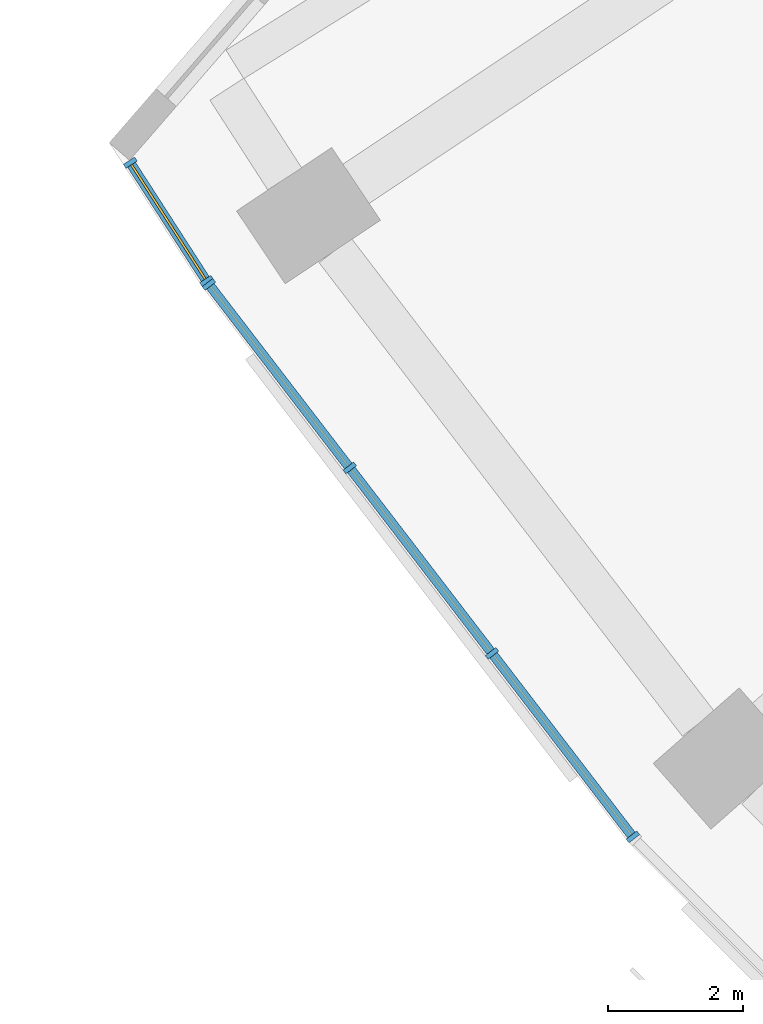
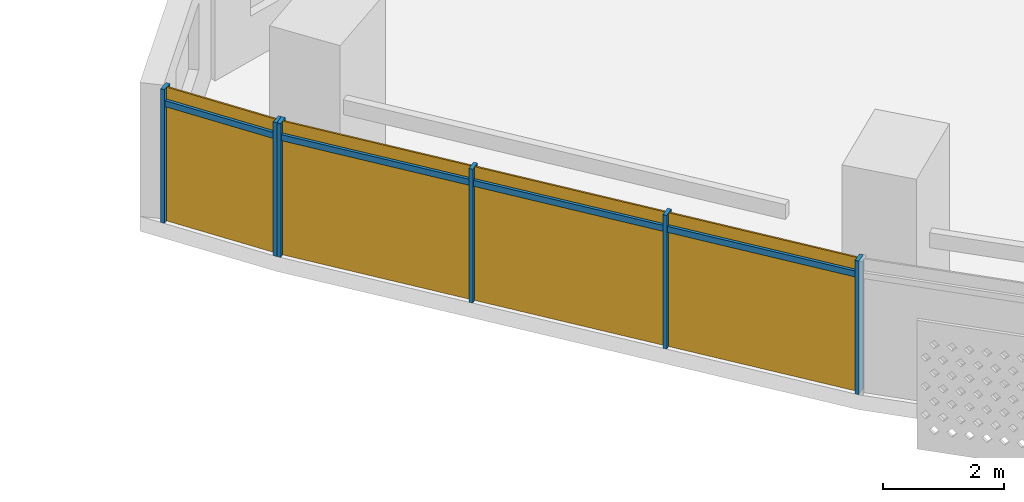
# One storey, part 21 of 31: 10 members, 2 curtain walls.
"""IFC4 building model written with IfcOpenShell, lengths in metres."""

from ifc_helpers import new_model, si_unit, direction, frame, origin, origin_2d, place, context, subcontext, project, spatial, rectangle, extrude, material, material_profile, profile_set, type_object, element, aggregate, save


model = new_model("IFC4")

# Units and contexts
model_context = context("Model", 3, precision=1e-05, world=origin(), true_north=direction((0.0, 1.0)))
body_context = subcontext(model_context, "Body", "Model", "MODEL_VIEW")
ifc_project = project(units=[si_unit("LENGTHUNIT", "METRE"), si_unit("AREAUNIT", "SQUARE_METRE"), si_unit("VOLUMEUNIT", "CUBIC_METRE"), si_unit("PLANEANGLEUNIT", "RADIAN"), si_unit("MASSUNIT", "GRAM", prefix="KILO")], contexts=[model_context])

# Member
ifc_material = material(Name="Aluminium 6063-T6 anodised", Category="aluminium")
ifc_material_profile_1 = material_profile(ifc_material, rectangle(XDim=0.199951171875, YDim=0.070068359375, at=origin_2d()))
ifc_profile_set_1 = profile_set([ifc_material_profile_1], Name="Aluminium 6063-T6 anodised")
member_type_1 = type_object("IfcMemberType", Name="Mullion 70 x 200 aluminium", PredefinedType="MULLION", material=ifc_profile_set_1)
site_placement = place(None, origin())
building_placement = place(site_placement, origin())
storey_placement = place(building_placement, frame((0.0, 0.0, 59.5)))
member_1_placement = place(storey_placement, frame((-67.295654296875, -42.41015625, 0.0), z_axis=(0.0, 0.0, 1.0), x_axis=(0.840244709552, 0.5422073663, 0.0)))
member_1 = element("IfcMember", 1, at=member_1_placement, type_object=member_type_1, Name="e-cw1-L11-out00/M00", PredefinedType="MULLION", context=body_context, shape_type="SweptSolid", body=[
    extrude(rectangle(XDim=0.199951171875, YDim=0.070068359375, at=origin_2d()), origin(), (0.0, 0.0, 1.0), 2.699951171875),
])

member_2_placement = place(storey_placement, frame((-66.16162109375, -44.16748046875, 0.0), z_axis=(0.0, 0.0, 1.0), x_axis=(0.840244709552, 0.5422073663, 0.0)))
member_2 = element("IfcMember", 2, at=member_2_placement, type_object=member_type_1, Name="e-cw1-L11-out00/M01", PredefinedType="MULLION", context=body_context, shape_type="SweptSolid", body=[
    extrude(rectangle(XDim=0.199951171875, YDim=0.070068359375, at=origin_2d()), origin(), (0.0, 0.0, 1.0), 2.699951171875),
])

member_3_placement = place(storey_placement, frame((-66.1259765625, -44.218017578125, 0.0), z_axis=(0.0, 0.0, 1.0), x_axis=(0.793353340291, 0.608761429009, 0.0)))
member_3 = element("IfcMember", 3, at=member_3_placement, type_object=member_type_1, Name="e-cw1-L11-out01/M00", PredefinedType="MULLION", context=body_context, shape_type="SweptSolid", body=[
    extrude(rectangle(XDim=0.199951171875, YDim=0.070068359375, at=origin_2d()), origin(), (0.0, 0.0, 1.0), 2.699951171875),
])

member_4_placement = place(storey_placement, frame((-64.032958984375, -46.945556640625, 0.0), z_axis=(0.0, 0.0, 1.0), x_axis=(0.793353340291, 0.608761429009, 0.0)))
member_4 = element("IfcMember", 4, at=member_4_placement, type_object=member_type_1, Name="e-cw1-L11-out01/M01", PredefinedType="MULLION", context=body_context, shape_type="SweptSolid", body=[
    extrude(rectangle(XDim=0.199951171875, YDim=0.070068359375, at=origin_2d()), origin(), (0.0, 0.0, 1.0), 2.699951171875),
])

member_5_placement = place(storey_placement, frame((-61.9189453125, -49.70068359375, 0.0), z_axis=(0.0, 0.0, 1.0), x_axis=(0.793353340291, 0.608761429009, 0.0)))
member_5 = element("IfcMember", 5, at=member_5_placement, type_object=member_type_1, Name="e-cw1-L11-out01/M02", PredefinedType="MULLION", context=body_context, shape_type="SweptSolid", body=[
    extrude(rectangle(XDim=0.199951171875, YDim=0.070068359375, at=origin_2d()), origin(), (0.0, 0.0, 1.0), 2.699951171875),
])

member_6_placement = place(storey_placement, frame((-59.825927734375, -52.42822265625, 0.0), z_axis=(0.0, 0.0, 1.0), x_axis=(0.793353340291, 0.608761429009, 0.0)))
member_6 = element("IfcMember", 6, at=member_6_placement, type_object=member_type_1, Name="e-cw1-L11-out01/M03", PredefinedType="MULLION", context=body_context, shape_type="SweptSolid", body=[
    extrude(rectangle(XDim=0.199951171875, YDim=0.070068359375, at=origin_2d()), origin(), (0.0, 0.0, 1.0), 2.699951171875),
])

ifc_material_profile_2 = material_profile(ifc_material, rectangle(XDim=0.139892578125, YDim=0.1201171875, at=origin_2d()))
ifc_profile_set_2 = profile_set([ifc_material_profile_2], Name="Aluminium 6063-T6 anodised")
member_type_2 = type_object("IfcMemberType", Name="Transom 120 x 140 aluminium", PredefinedType="USERDEFINED", material=ifc_profile_set_2)
member_7_placement = place(storey_placement, frame((-67.276611328125, -42.439453125, 2.39990234375), z_axis=(0.542209384604, -0.840243407143, 0.0), x_axis=(0.840243407143, 0.542209384604, 0.0)))
member_7 = element("IfcMember", 7, at=member_7_placement, type_object=member_type_2, Name="e-cw1-L11-out00/T00", ObjectType="TRANSOM", PredefinedType="USERDEFINED", context=body_context, shape_type="SweptSolid", body=[
    extrude(rectangle(XDim=0.139892578125, YDim=0.1201171875, at=origin_2d()), origin(), (0.0, 0.0, 1.0), 2.021728515625),
])

member_8_placement = place(storey_placement, frame((-66.1044921875, -44.245849609375, 2.39990234375), z_axis=(0.608732839803, -0.793375276742, 0.0), x_axis=(0.793375276742, 0.608732839803, 0.0)))
member_8 = element("IfcMember", 8, at=member_8_placement, type_object=member_type_2, Name="e-cw1-L11-out01/T00", ObjectType="TRANSOM", PredefinedType="USERDEFINED", context=body_context, shape_type="SweptSolid", body=[
    extrude(rectangle(XDim=0.139892578125, YDim=0.1201171875, at=origin_2d()), origin(), (0.0, 0.0, 1.0), 3.36767578125),
])

member_9_placement = place(storey_placement, frame((-64.01171875, -46.973388671875, 2.39990234375), z_axis=(0.60875683052, -0.793356868815, 0.0), x_axis=(0.793356868815, 0.60875683052, 0.0)))
member_9 = element("IfcMember", 9, at=member_9_placement, type_object=member_type_2, Name="e-cw1-L11-out01/T01", ObjectType="TRANSOM", PredefinedType="USERDEFINED", context=body_context, shape_type="SweptSolid", body=[
    extrude(rectangle(XDim=0.139892578125, YDim=0.1201171875, at=origin_2d()), origin(), (0.0, 0.0, 1.0), 3.40283203125),
])

member_10_placement = place(storey_placement, frame((-61.8974609375, -49.728515625, 2.39990234375), z_axis=(0.608732839803, -0.793375276742, 0.0), x_axis=(0.793375276742, 0.608732839803, 0.0)))
member_10 = element("IfcMember", 10, at=member_10_placement, type_object=member_type_2, Name="e-cw1-L11-out01/T02", ObjectType="TRANSOM", PredefinedType="USERDEFINED", context=body_context, shape_type="SweptSolid", body=[
    extrude(rectangle(XDim=0.139892578125, YDim=0.1201171875, at=origin_2d()), origin(), (0.0, 0.0, 1.0), 3.36767578125),
])

# Site, building, storey
site = spatial("IfcSite", under=ifc_project, at=site_placement, CompositionType="ELEMENT")
building = spatial("IfcBuilding", under=site, at=building_placement, Name="Qamariyya Broadcast Tower", CompositionType="ELEMENT")
storey = spatial("IfcBuildingStorey", under=building, at=storey_placement, Name="L11", CompositionType="ELEMENT", Elevation=59.5)

# Curtain wall
curtain_wall_type = type_object("IfcCurtainWallType", Name="Unitised curtain wall, anodised aluminium", PredefinedType="NOTDEFINED", material=ifc_material)
curtain_wall_1_placement = place(storey_placement, origin())
curtain_wall_1 = element("IfcCurtainWall", 11, at=curtain_wall_1_placement, inside=storey, type_object=curtain_wall_type, Name="e-cw1-L11-out00", PredefinedType="NOTDEFINED", context=body_context, shape_type="SweptSolid", body=[
    extrude(rectangle(XDim=2.021728515625, YDim=0.031982421875, at=origin_2d()), frame((-66.728515625, -43.288818359375, 0.0), x_axis=(0.542126869822, -0.840296648224, 0.0)), (0.0, 0.0, 1.0), 2.340087890625),
    extrude(rectangle(XDim=2.021728515625, YDim=0.031982421875, at=origin_2d()), frame((-66.728515625, -43.288818359375, 2.4599609375), x_axis=(0.542126869822, -0.840296648224, 0.0)), (0.0, 0.0, 1.0), 0.239990234375),
])

aggregate(curtain_wall_1, [member_1, member_2, member_7])

curtain_wall_2_placement = place(storey_placement, origin())
curtain_wall_2 = element("IfcCurtainWall", 12, at=curtain_wall_2_placement, inside=storey, type_object=curtain_wall_type, Name="e-cw1-L11-out01", PredefinedType="NOTDEFINED", context=body_context, shape_type="SweptSolid", body=[
    extrude(rectangle(XDim=3.367919921875, YDim=0.031982421875, at=origin_2d()), frame((-65.07958984375, -45.581787109375, 0.0), x_axis=(0.608755679475, -0.79335775203, 0.0)), (0.0, 0.0, 1.0), 2.340087890625),
    extrude(rectangle(XDim=3.367919921875, YDim=0.031982421875, at=origin_2d()), frame((-65.07958984375, -45.581787109375, 2.4599609375), x_axis=(0.608755679475, -0.79335775203, 0.0)), (0.0, 0.0, 1.0), 0.239990234375),
    extrude(rectangle(XDim=3.40283203125, YDim=0.031982421875, at=origin_2d()), frame((-62.97607421875, -48.3232421875, 0.0), x_axis=(0.608755679475, -0.79335775203, 0.0)), (0.0, 0.0, 1.0), 2.340087890625),
    extrude(rectangle(XDim=3.40283203125, YDim=0.031982421875, at=origin_2d()), frame((-62.97607421875, -48.3232421875, 2.4599609375), x_axis=(0.608755679475, -0.79335775203, 0.0)), (0.0, 0.0, 1.0), 0.239990234375),
    extrude(rectangle(XDim=3.367919921875, YDim=0.031982421875, at=origin_2d()), frame((-60.872314453125, -51.064453125, 0.0), x_axis=(0.608755679475, -0.79335775203, 0.0)), (0.0, 0.0, 1.0), 2.340087890625),
    extrude(rectangle(XDim=3.367919921875, YDim=0.031982421875, at=origin_2d()), frame((-60.872314453125, -51.064453125, 2.4599609375), x_axis=(0.608755679475, -0.79335775203, 0.0)), (0.0, 0.0, 1.0), 0.239990234375),
])

aggregate(curtain_wall_2, [member_3, member_4, member_5, member_6, member_8, member_9, member_10])

save(model, "model.ifc")
